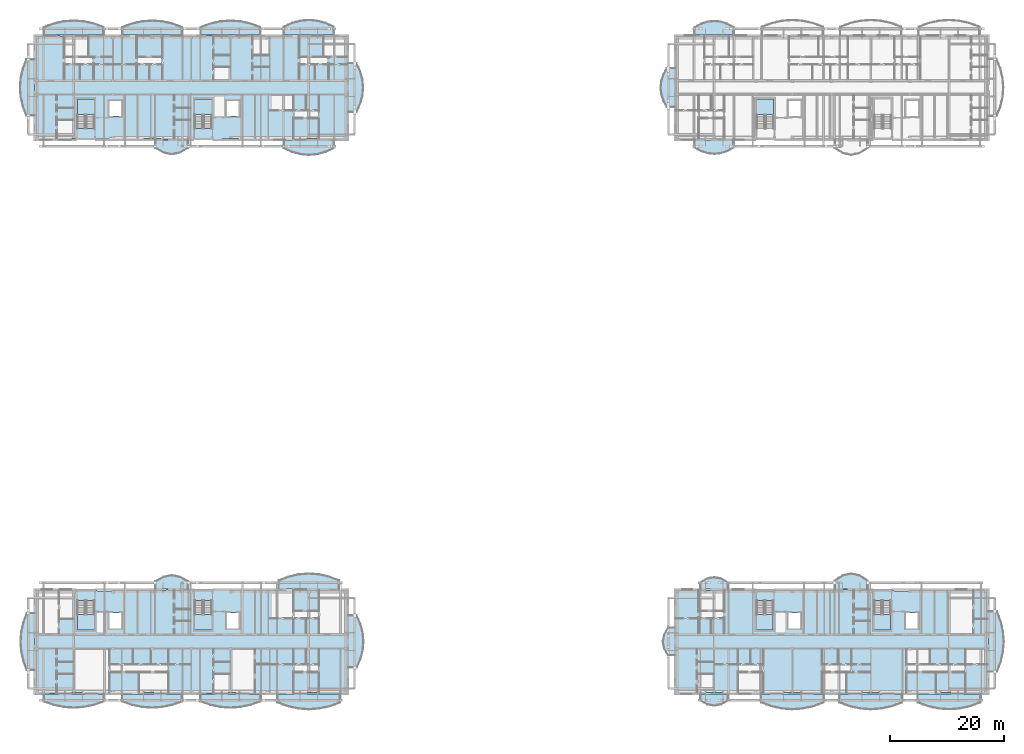
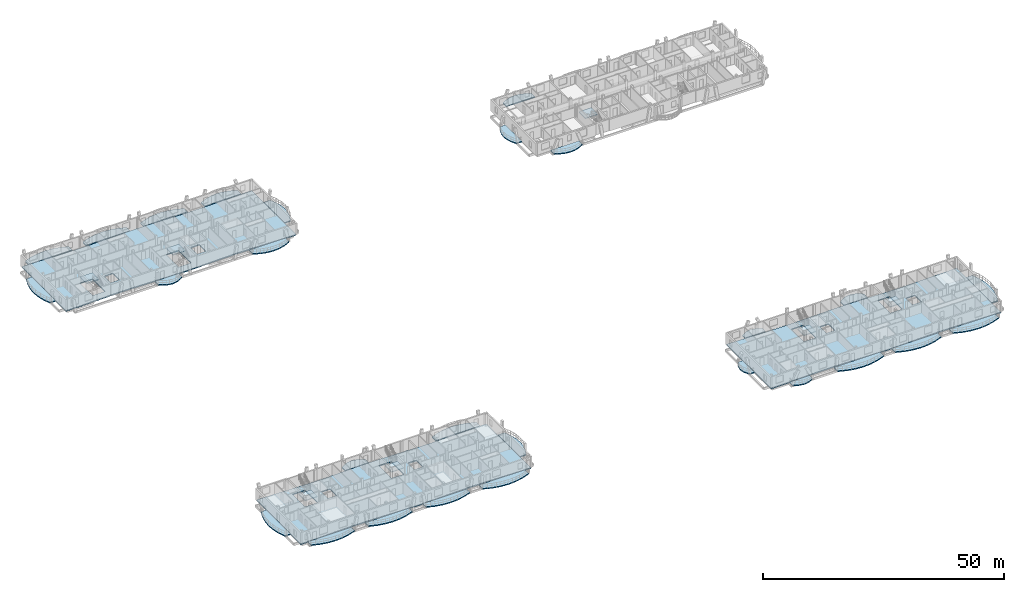
# One storey, part 9 of 52: 37 slabs, 7 elements without a shape of their own.
"""IFC4 building model written with IfcOpenShell, lengths in metres."""

from ifc_helpers import new_model, si_unit, direction, frame, origin, place, context, subcontext, project, spatial, polyline, outline, extrude, material, layer, layer_set, type_object, element, aggregate, save


model = new_model("IFC4")

# Units and contexts
model_context = context("Model", 3, precision=1e-05, world=origin(), true_north=direction((0.0, 1.0)))
body_context = subcontext(model_context, "Body", "Model", "MODEL_VIEW")
ifc_project = project(units=[si_unit("LENGTHUNIT", "METRE"), si_unit("AREAUNIT", "SQUARE_METRE"), si_unit("VOLUMEUNIT", "CUBIC_METRE"), si_unit("PLANEANGLEUNIT", "RADIAN"), si_unit("MASSUNIT", "GRAM", prefix="KILO")], contexts=[model_context])

# Site, building, storey
site_placement = place(None, origin())
site = spatial("IfcSite", under=ifc_project, at=site_placement, CompositionType="ELEMENT")
building_placement = place(site_placement, origin())
building = spatial("IfcBuilding", under=site, at=building_placement, Name="Zavelmont Quarter", CompositionType="ELEMENT")
storey_placement = place(building_placement, frame((0.0, 0.0, 14.39990234375)))
storey = spatial("IfcBuildingStorey", under=building, at=storey_placement, Name="L04", CompositionType="ELEMENT", Elevation=14.39990234375)

# Slabs
ifc_material_1 = material(Name="White architectural precast concrete C40/50", Category="concrete")
ifc_layer_1 = layer(ifc_material_1, 0.235107421875)
ifc_layer_set_1 = layer_set([ifc_layer_1], Name="White architectural precast concrete C40/50")
slab_type_1 = type_object("IfcSlabType", Name="SL-BL180", PredefinedType="FLOOR", material=ifc_layer_set_1)
slab_1_placement = place(storey_placement, frame((0.0, 0.0, -0.23486328125)))
element("IfcSlab", 1, at=slab_1_placement, inside=storey, type_object=slab_type_1, Name="L04 Block A street vase 1 balcony SL-BL180", PredefinedType="FLOOR", context=body_context, shape_type="SweptSolid", body=[
    extrude(outline(polyline([(1.634765625, -0.02001953125), (1.634765625, -1.3759765625), (3.389892578125, -1.9765625), (5.14501953125, -2.3369140625), (6.89990234375, -2.45703125), (8.655029296875, -2.3369140625), (10.41015625, -1.9765625), (12.165283203125, -1.3759765625), (12.165283203125, -0.02001953125), (1.634765625, -0.02001953125)])), origin(), (0.0, 0.0, 1.0), 0.23486328125),
])
slab_2_placement = place(storey_placement, frame((0.0, 0.0, -0.23486328125)))
element("IfcSlab", 2, at=slab_2_placement, inside=storey, type_object=slab_type_1, Name="L04 Block A street vase 4 balcony SL-BL180", PredefinedType="FLOOR", context=body_context, shape_type="SweptSolid", body=[
    extrude(outline(polyline([(42.791015625, -0.02001953125), (42.791015625, -1.537109375), (44.627197265625, -2.208251953125), (46.463623046875, -2.61083984375), (48.300048828125, -2.7451171875), (50.13623046875, -2.61083984375), (51.97265625, -2.208251953125), (53.80908203125, -1.537109375), (53.80908203125, -0.02001953125), (42.791015625, -0.02001953125)])), origin(), (0.0, 0.0, 1.0), 0.23486328125),
])
slab_3_placement = place(storey_placement, frame((0.0, 0.0, -0.23486328125)))
element("IfcSlab", 3, at=slab_3_placement, inside=storey, type_object=slab_type_1, Name="L04 Block A courtyard central vase balcony SL-BL180", PredefinedType="FLOOR", context=body_context, shape_type="SweptSolid", body=[
    extrude(outline(polyline([(27.0, 18.419921875), (27.0, 19.77587890625), (25.574951171875, 20.586669921875), (24.14990234375, 20.85693359375), (22.72509765625, 20.586669921875), (21.300048828125, 19.77587890625), (21.300048828125, 18.419921875), (27.0, 18.419921875)])), origin(), (0.0, 0.0, 1.0), 0.23486328125),
])
slab_4_placement = place(storey_placement, frame((0.0, 0.0, -0.23486328125)))
element("IfcSlab", 4, at=slab_4_placement, inside=storey, type_object=slab_type_1, Name="L04 Block B street vase 1 balcony SL-BL180", PredefinedType="FLOOR", context=body_context, shape_type="SweptSolid", body=[
    extrude(outline(polyline([(12.134765625, 116.02001953125), (12.134765625, 117.434814453125), (10.389892578125, 118.06103515625), (8.64501953125, 118.436767578125), (6.89990234375, 118.56201171875), (5.155029296875, 118.436767578125), (3.41015625, 118.06103515625), (1.665283203125, 117.434814453125), (1.665283203125, 116.02001953125), (12.134765625, 116.02001953125)])), origin(), (0.0, 0.0, 1.0), 0.23486328125),
])
slab_5_placement = place(storey_placement, frame((0.0, 0.0, -0.23486328125)))
element("IfcSlab", 5, at=slab_5_placement, inside=storey, type_object=slab_type_1, Name="L04 Block B street vase 4 balcony SL-BL180", PredefinedType="FLOOR", context=body_context, shape_type="SweptSolid", body=[
    extrude(outline(polyline([(52.672119140625, 116.02001953125), (52.672119140625, 117.50146484375), (51.214599609375, 118.15673828125), (49.75732421875, 118.5498046875), (48.300048828125, 118.680908203125), (46.8427734375, 118.5498046875), (45.38525390625, 118.15673828125), (43.927978515625, 117.50146484375), (43.927978515625, 116.02001953125), (52.672119140625, 116.02001953125)])), origin(), (0.0, 0.0, 1.0), 0.23486328125),
])
slab_6_placement = place(storey_placement, frame((0.0, 0.0, -0.23486328125)))
element("IfcSlab", 6, at=slab_6_placement, inside=storey, type_object=slab_type_1, Name="L04 Block B courtyard central vase balcony SL-BL180", PredefinedType="FLOOR", context=body_context, shape_type="SweptSolid", body=[
    extrude(outline(polyline([(21.300048828125, 97.580078125), (21.300048828125, 96.165283203125), (22.72509765625, 95.31982421875), (24.14990234375, 95.0380859375), (25.574951171875, 95.31982421875), (27.0, 96.165283203125), (27.0, 97.580078125), (21.300048828125, 97.580078125)])), origin(), (0.0, 0.0, 1.0), 0.23486328125),
])
slab_7_placement = place(storey_placement, frame((0.0, 0.0, -0.23486328125)))
element("IfcSlab", 7, at=slab_7_placement, inside=storey, type_object=slab_type_1, Name="L04 Block C street vase 1 balcony SL-BL180", PredefinedType="FLOOR", context=body_context, shape_type="SweptSolid", body=[
    extrude(outline(polyline([(123.12060546875, 116.02001953125), (123.12060546875, 117.401123046875), (121.98046875, 118.0126953125), (120.840087890625, 118.379638671875), (119.699951171875, 118.501953125), (118.559814453125, 118.379638671875), (117.419677734375, 118.0126953125), (116.279296875, 117.401123046875), (116.279296875, 116.02001953125), (123.12060546875, 116.02001953125)])), origin(), (0.0, 0.0, 1.0), 0.23486328125),
])
slab_8_placement = place(storey_placement, frame((0.0, 0.0, -0.23486328125)))
element("IfcSlab", 8, at=slab_8_placement, inside=storey, type_object=slab_type_1, Name="L04 Block D street vase 1 balcony SL-BL180", PredefinedType="FLOOR", context=body_context, shape_type="SweptSolid", body=[
    extrude(outline(polyline([(117.276611328125, -0.02001953125), (117.276611328125, -1.179931640625), (118.48828125, -1.875244140625), (119.699951171875, -2.10693359375), (120.91162109375, -1.875244140625), (122.123291015625, -1.179931640625), (122.123291015625, -0.02001953125), (117.276611328125, -0.02001953125)])), origin(), (0.0, 0.0, 1.0), 0.23486328125),
])
slab_9_placement = place(storey_placement, frame((0.0, 0.0, -0.23486328125)))
element("IfcSlab", 9, at=slab_9_placement, inside=storey, type_object=slab_type_1, Name="L04 Block D street vase 4 balcony SL-BL180", PredefinedType="FLOOR", context=body_context, shape_type="SweptSolid", body=[
    extrude(outline(polyline([(155.591064453125, -0.02001953125), (155.591064453125, -1.537109375), (157.42724609375, -2.208251953125), (159.263671875, -2.61083984375), (161.10009765625, -2.7451171875), (162.936279296875, -2.61083984375), (164.772705078125, -2.208251953125), (166.60888671875, -1.537109375), (166.60888671875, -0.02001953125), (155.591064453125, -0.02001953125)])), origin(), (0.0, 0.0, 1.0), 0.23486328125),
])
slab_10_placement = place(storey_placement, frame((0.0, 0.0, -0.23486328125)))
element("IfcSlab", 10, at=slab_10_placement, inside=storey, type_object=slab_type_1, Name="L04 Block D courtyard central vase balcony SL-BL180", PredefinedType="FLOOR", context=body_context, shape_type="SweptSolid", body=[
    extrude(outline(polyline([(146.699951171875, 18.419921875), (146.699951171875, 19.937255859375), (145.27490234375, 20.843017578125), (143.85009765625, 21.14501953125), (142.425048828125, 20.843017578125), (141.0, 19.937255859375), (141.0, 18.419921875), (146.699951171875, 18.419921875)])), origin(), (0.0, 0.0, 1.0), 0.23486328125),
])
ifc_layer_2 = layer(ifc_material_1, 0.2451171875)
ifc_layer_set_2 = layer_set([ifc_layer_2], Name="White architectural precast concrete C40/50")
slab_type_2 = type_object("IfcSlabType", Name="SL-BL200", PredefinedType="FLOOR", material=ifc_layer_set_2)
slab_11_placement = place(storey_placement, frame((0.0, 0.0, -0.244873046875)))
element("IfcSlab", 11, at=slab_11_placement, inside=storey, type_object=slab_type_2, Name="L04 Block A street vase 3 balcony SL-BL200", PredefinedType="FLOOR", context=body_context, shape_type="SweptSolid", body=[
    extrude(outline(polyline([(29.23486328125, -0.02001953125), (29.23486328125, -1.3759765625), (30.989990234375, -1.9765625), (32.744873046875, -2.3369140625), (34.5, -2.45703125), (36.255126953125, -2.3369140625), (38.010009765625, -1.9765625), (39.76513671875, -1.3759765625), (39.76513671875, -0.02001953125), (29.23486328125, -0.02001953125)])), origin(), (0.0, 0.0, 1.0), 0.244873046875),
])
slab_12_placement = place(storey_placement, frame((0.0, 0.0, -0.244873046875)))
element("IfcSlab", 12, at=slab_12_placement, inside=storey, type_object=slab_type_2, Name="L04 Block A courtyard return vase balcony SL-BL200", PredefinedType="FLOOR", context=body_context, shape_type="SweptSolid", body=[
    extrude(outline(polyline([(55.219970703125, 4.618896484375), (56.7373046875, 4.618896484375), (57.408203125, 6.14599609375), (57.810791015625, 7.6728515625), (57.945068359375, 9.199951171875), (57.810791015625, 10.72705078125), (57.408203125, 12.254150390625), (56.7373046875, 13.78125), (55.219970703125, 13.78125), (55.219970703125, 4.618896484375)])), origin(), (0.0, 0.0, 1.0), 0.244873046875),
])
slab_13_placement = place(storey_placement, frame((0.0, 0.0, -0.244873046875)))
element("IfcSlab", 13, at=slab_13_placement, inside=storey, type_object=slab_type_2, Name="L04 Block A courtyard outer vase balcony SL-BL200", PredefinedType="FLOOR", context=body_context, shape_type="SweptSolid", body=[
    extrude(outline(polyline([(53.6171875, 18.419921875), (53.6171875, 19.937255859375), (51.844970703125, 20.608154296875), (50.072509765625, 21.0107421875), (48.300048828125, 21.14501953125), (46.527587890625, 21.0107421875), (44.755126953125, 20.608154296875), (42.982666015625, 19.937255859375), (42.982666015625, 18.419921875), (53.6171875, 18.419921875)])), origin(), (0.0, 0.0, 1.0), 0.244873046875),
])
slab_14_placement = place(storey_placement, frame((0.0, 0.0, -0.244873046875)))
element("IfcSlab", 14, at=slab_14_placement, inside=storey, type_object=slab_type_2, Name="L04 Block B street vase 3 balcony SL-BL200", PredefinedType="FLOOR", context=body_context, shape_type="SweptSolid", body=[
    extrude(outline(polyline([(39.734619140625, 116.02001953125), (39.734619140625, 117.434814453125), (37.98974609375, 118.06103515625), (36.244873046875, 118.436767578125), (34.5, 118.56201171875), (32.755126953125, 118.436767578125), (31.01025390625, 118.06103515625), (29.265380859375, 117.434814453125), (29.265380859375, 116.02001953125), (39.734619140625, 116.02001953125)])), origin(), (0.0, 0.0, 1.0), 0.244873046875),
])
slab_15_placement = place(storey_placement, frame((0.0, 0.0, -0.244873046875)))
element("IfcSlab", 15, at=slab_15_placement, inside=storey, type_object=slab_type_2, Name="L04 Block B courtyard return vase balcony SL-BL200", PredefinedType="FLOOR", context=body_context, shape_type="SweptSolid", body=[
    extrude(outline(polyline([(55.219970703125, 102.495849609375), (56.701416015625, 102.495849609375), (57.356689453125, 103.9306640625), (57.75, 105.365234375), (57.881103515625, 106.800048828125), (57.75, 108.234619140625), (57.356689453125, 109.66943359375), (56.701416015625, 111.10400390625), (55.219970703125, 111.10400390625), (55.219970703125, 102.495849609375)])), origin(), (0.0, 0.0, 1.0), 0.244873046875),
])
slab_16_placement = place(storey_placement, frame((0.0, 0.0, -0.244873046875)))
element("IfcSlab", 16, at=slab_16_placement, inside=storey, type_object=slab_type_2, Name="L04 Block B courtyard outer vase balcony SL-BL200", PredefinedType="FLOOR", context=body_context, shape_type="SweptSolid", body=[
    extrude(outline(polyline([(43.927978515625, 97.580078125), (43.927978515625, 96.0986328125), (45.38525390625, 95.443359375), (46.8427734375, 95.050048828125), (48.300048828125, 94.9189453125), (49.75732421875, 95.050048828125), (51.214599609375, 95.443359375), (52.672119140625, 96.0986328125), (52.672119140625, 97.580078125), (43.927978515625, 97.580078125)])), origin(), (0.0, 0.0, 1.0), 0.244873046875),
])
slab_17_placement = place(storey_placement, frame((0.0, 0.0, -0.244873046875)))
element("IfcSlab", 17, at=slab_17_placement, inside=storey, type_object=slab_type_2, Name="L04 Block C courtyard return vase balcony SL-BL200", PredefinedType="FLOOR", context=body_context, shape_type="SweptSolid", body=[
    extrude(outline(polyline([(112.780029296875, 110.220703125), (111.39892578125, 110.220703125), (110.787353515625, 109.080322265625), (110.42041015625, 107.940185546875), (110.298095703125, 106.800048828125), (110.42041015625, 105.659912109375), (110.787353515625, 104.51953125), (111.39892578125, 103.37939453125), (112.780029296875, 103.37939453125), (112.780029296875, 110.220703125)])), origin(), (0.0, 0.0, 1.0), 0.244873046875),
])
slab_18_placement = place(storey_placement, frame((0.0, 0.0, -0.244873046875)))
element("IfcSlab", 18, at=slab_18_placement, inside=storey, type_object=slab_type_2, Name="L04 Block C courtyard outer vase balcony SL-BL200", PredefinedType="FLOOR", context=body_context, shape_type="SweptSolid", body=[
    extrude(outline(polyline([(116.279296875, 97.580078125), (116.279296875, 96.198974609375), (117.419677734375, 95.58740234375), (118.559814453125, 95.22021484375), (119.699951171875, 95.097900390625), (120.840087890625, 95.22021484375), (121.98046875, 95.58740234375), (123.12060546875, 96.198974609375), (123.12060546875, 97.580078125), (116.279296875, 97.580078125)])), origin(), (0.0, 0.0, 1.0), 0.244873046875),
])
slab_19_placement = place(storey_placement, frame((0.0, 0.0, -0.244873046875)))
element("IfcSlab", 19, at=slab_19_placement, inside=storey, type_object=slab_type_2, Name="L04 Block D street vase 3 balcony SL-BL200", PredefinedType="FLOOR", context=body_context, shape_type="SweptSolid", body=[
    extrude(outline(polyline([(141.791015625, -0.02001953125), (141.791015625, -1.537109375), (143.627197265625, -2.208251953125), (145.463623046875, -2.61083984375), (147.300048828125, -2.7451171875), (149.13623046875, -2.61083984375), (150.97265625, -2.208251953125), (152.80908203125, -1.537109375), (152.80908203125, -0.02001953125), (141.791015625, -0.02001953125)])), origin(), (0.0, 0.0, 1.0), 0.244873046875),
])
slab_20_placement = place(storey_placement, frame((0.0, 0.0, -0.244873046875)))
element("IfcSlab", 20, at=slab_20_placement, inside=storey, type_object=slab_type_2, Name="L04 Block D courtyard return vase balcony SL-BL200", PredefinedType="FLOOR", context=body_context, shape_type="SweptSolid", body=[
    extrude(outline(polyline([(112.780029296875, 11.623291015625), (111.6201171875, 11.623291015625), (110.9248046875, 10.41162109375), (110.693115234375, 9.199951171875), (110.9248046875, 7.98828125), (111.6201171875, 6.776611328125), (112.780029296875, 6.776611328125), (112.780029296875, 11.623291015625)])), origin(), (0.0, 0.0, 1.0), 0.244873046875),
])
slab_21_placement = place(storey_placement, frame((0.0, 0.0, -0.244873046875)))
element("IfcSlab", 21, at=slab_21_placement, inside=storey, type_object=slab_type_2, Name="L04 Block D courtyard outer vase balcony SL-BL200", PredefinedType="FLOOR", context=body_context, shape_type="SweptSolid", body=[
    extrude(outline(polyline([(122.123291015625, 18.419921875), (122.123291015625, 19.579833984375), (120.91162109375, 20.275146484375), (119.699951171875, 20.507080078125), (118.48828125, 20.275146484375), (117.276611328125, 19.579833984375), (117.276611328125, 18.419921875), (122.123291015625, 18.419921875)])), origin(), (0.0, 0.0, 1.0), 0.244873046875),
])
ifc_layer_3 = layer(ifc_material_1, 0.2548828125)
ifc_layer_set_3 = layer_set([ifc_layer_3], Name="White architectural precast concrete C40/50")
slab_type_3 = type_object("IfcSlabType", Name="SL-BL220", PredefinedType="FLOOR", material=ifc_layer_set_3)
slab_22_placement = place(storey_placement, frame((0.0, 0.0, -0.2548828125)))
element("IfcSlab", 22, at=slab_22_placement, inside=storey, type_object=slab_type_3, Name="L04 Block A street vase 2 balcony SL-BL220", PredefinedType="FLOOR", context=body_context, shape_type="SweptSolid", body=[
    extrude(outline(polyline([(15.434814453125, -0.02001953125), (15.434814453125, -1.3759765625), (17.18994140625, -1.9765625), (18.94482421875, -2.3369140625), (20.699951171875, -2.45703125), (22.455078125, -2.3369140625), (24.210205078125, -1.9765625), (25.965087890625, -1.3759765625), (25.965087890625, -0.02001953125), (15.434814453125, -0.02001953125)])), origin(), (0.0, 0.0, 1.0), 0.2548828125),
])
slab_23_placement = place(storey_placement, frame((0.0, 0.0, -0.2548828125)))
element("IfcSlab", 23, at=slab_23_placement, inside=storey, type_object=slab_type_3, Name="L04 Block A boulevard vase balcony SL-BL220", PredefinedType="FLOOR", context=body_context, shape_type="SweptSolid", body=[
    extrude(outline(polyline([(-0.02001953125, 14.197509765625), (-1.3759765625, 14.197509765625), (-1.9765625, 12.531494140625), (-2.3369140625, 10.86572265625), (-2.45703125, 9.199951171875), (-2.3369140625, 7.5341796875), (-1.9765625, 5.868408203125), (-1.3759765625, 4.20263671875), (-0.02001953125, 4.20263671875), (-0.02001953125, 14.197509765625)])), origin(), (0.0, 0.0, 1.0), 0.2548828125),
])
slab_24_placement = place(storey_placement, frame((0.0, 0.0, -0.2548828125)))
element("IfcSlab", 24, at=slab_24_placement, inside=storey, type_object=slab_type_3, Name="L04 Block B street vase 2 balcony SL-BL220", PredefinedType="FLOOR", context=body_context, shape_type="SweptSolid", body=[
    extrude(outline(polyline([(25.934814453125, 116.02001953125), (25.934814453125, 117.434814453125), (24.189697265625, 118.06103515625), (22.44482421875, 118.436767578125), (20.699951171875, 118.56201171875), (18.955078125, 118.436767578125), (17.210205078125, 118.06103515625), (15.46533203125, 117.434814453125), (15.46533203125, 116.02001953125), (25.934814453125, 116.02001953125)])), origin(), (0.0, 0.0, 1.0), 0.2548828125),
])
slab_25_placement = place(storey_placement, frame((0.0, 0.0, -0.2548828125)))
element("IfcSlab", 25, at=slab_25_placement, inside=storey, type_object=slab_type_3, Name="L04 Block B boulevard vase balcony SL-BL220", PredefinedType="FLOOR", context=body_context, shape_type="SweptSolid", body=[
    extrude(outline(polyline([(-0.02001953125, 111.731689453125), (-1.434814453125, 111.731689453125), (-2.06103515625, 110.087646484375), (-2.436767578125, 108.44384765625), (-2.56201171875, 106.800048828125), (-2.436767578125, 105.156005859375), (-2.06103515625, 103.51220703125), (-1.434814453125, 101.868408203125), (-0.02001953125, 101.868408203125), (-0.02001953125, 111.731689453125)])), origin(), (0.0, 0.0, 1.0), 0.2548828125),
])
slab_26_placement = place(storey_placement, frame((0.0, 0.0, -0.2548828125)))
element("IfcSlab", 26, at=slab_26_placement, inside=storey, type_object=slab_type_3, Name="L04 Block D street vase 2 balcony SL-BL220", PredefinedType="FLOOR", context=body_context, shape_type="SweptSolid", body=[
    extrude(outline(polyline([(127.990966796875, -0.02001953125), (127.990966796875, -1.537109375), (129.827392578125, -2.208251953125), (131.663818359375, -2.61083984375), (133.5, -2.7451171875), (135.336181640625, -2.61083984375), (137.172607421875, -2.208251953125), (139.009033203125, -1.537109375), (139.009033203125, -0.02001953125), (127.990966796875, -0.02001953125)])), origin(), (0.0, 0.0, 1.0), 0.2548828125),
])
slab_27_placement = place(storey_placement, frame((0.0, 0.0, -0.2548828125)))
element("IfcSlab", 27, at=slab_27_placement, inside=storey, type_object=slab_type_3, Name="L04 Block D boulevard vase balcony SL-BL220", PredefinedType="FLOOR", context=body_context, shape_type="SweptSolid", body=[
    extrude(outline(polyline([(168.02001953125, 3.8828125), (169.537109375, 3.8828125), (170.208251953125, 5.655029296875), (170.61083984375, 7.427490234375), (170.7451171875, 9.199951171875), (170.61083984375, 10.972412109375), (170.208251953125, 12.744873046875), (169.537109375, 14.517333984375), (168.02001953125, 14.517333984375), (168.02001953125, 3.8828125)])), origin(), (0.0, 0.0, 1.0), 0.2548828125),
])
ifc_material_2 = material(Name="Concrete C35/45", Category="concrete")
ifc_layer_4 = layer(ifc_material_2, 0.260009765625)
ifc_layer_set_4 = layer_set([ifc_layer_4], Name="Concrete C35/45")
slab_type_4 = type_object("IfcSlabType", Name="SL-FL260", PredefinedType="FLOOR", material=ifc_layer_set_4)
slab_28_placement = place(storey_placement, frame((0.0, 0.0, -0.260009765625)))
element("IfcSlab", 28, at=slab_28_placement, inside=storey, type_object=slab_type_4, Name="L04 Block A floor slab SL-FL260", PredefinedType="FLOOR", context=body_context, shape_type="SweptSolid", body=[
    extrude(outline(polyline([(0.0, 0.0), (3.449951171875, 0.041015625), (6.89990234375, 0.139892578125), (10.35009765625, 0.239013671875), (13.800048828125, 0.280029296875), (17.25, 0.239013671875), (20.699951171875, 0.139892578125), (24.14990234375, 0.041015625), (27.60009765625, 0.0), (31.050048828125, 0.041015625), (34.5, 0.139892578125), (37.949951171875, 0.239013671875), (41.39990234375, 0.280029296875), (44.85009765625, 0.239013671875), (48.300048828125, 0.139892578125), (51.75, 0.041015625), (55.199951171875, 0.0), (55.199951171875, 3.679931640625), (55.199951171875, 7.360107421875), (55.199951171875, 11.0400390625), (55.199951171875, 14.719970703125), (55.199951171875, 18.39990234375), (51.75, 18.35888671875), (48.300048828125, 18.260009765625), (44.85009765625, 18.160888671875), (41.39990234375, 18.1201171875), (37.949951171875, 18.160888671875), (34.5, 18.260009765625), (31.050048828125, 18.35888671875), (27.60009765625, 18.39990234375), (24.14990234375, 18.35888671875), (20.699951171875, 18.260009765625), (17.25, 18.160888671875), (13.800048828125, 18.1201171875), (10.35009765625, 18.160888671875), (6.89990234375, 18.260009765625), (3.449951171875, 18.35888671875), (0.0, 18.39990234375), (0.0, 14.719970703125), (0.0, 11.0400390625), (0.0, 7.360107421875), (0.0, 3.679931640625), (0.0, 0.0)]), holes=[polyline([(7.5, 16.425048828125), (7.5, 11.199951171875), (10.5, 11.199951171875), (10.5, 16.425048828125), (7.5, 16.425048828125)]), polyline([(13.14990234375, 11.5), (15.25, 11.5), (15.25, 14.25), (13.14990234375, 14.25), (13.14990234375, 11.5)]), polyline([(28.199951171875, 16.425048828125), (28.199951171875, 11.199951171875), (31.199951171875, 11.199951171875), (31.199951171875, 16.425048828125), (28.199951171875, 16.425048828125)]), polyline([(33.85009765625, 11.5), (35.949951171875, 11.5), (35.949951171875, 14.25), (33.85009765625, 14.25), (33.85009765625, 11.5)])]), origin(), (0.0, 0.0, 1.0), 0.260009765625),
])
slab_29_placement = place(storey_placement, frame((0.0, 0.0, -0.260009765625)))
element("IfcSlab", 29, at=slab_29_placement, inside=storey, type_object=slab_type_4, Name="L04 Block B floor slab SL-FL260", PredefinedType="FLOOR", context=body_context, shape_type="SweptSolid", body=[
    extrude(outline(polyline([(0.0, 97.60009765625), (3.449951171875, 97.64111328125), (6.89990234375, 97.739990234375), (10.35009765625, 97.839111328125), (13.800048828125, 97.8798828125), (17.25, 97.839111328125), (20.699951171875, 97.739990234375), (24.14990234375, 97.64111328125), (27.60009765625, 97.60009765625), (31.050048828125, 97.64111328125), (34.5, 97.739990234375), (37.949951171875, 97.839111328125), (41.39990234375, 97.8798828125), (44.85009765625, 97.839111328125), (48.300048828125, 97.739990234375), (51.75, 97.64111328125), (55.199951171875, 97.60009765625), (55.199951171875, 101.280029296875), (55.199951171875, 104.9599609375), (55.199951171875, 108.639892578125), (55.199951171875, 112.320068359375), (55.199951171875, 116.0), (51.75, 115.958984375), (48.300048828125, 115.860107421875), (44.85009765625, 115.760986328125), (41.39990234375, 115.719970703125), (37.949951171875, 115.760986328125), (34.5, 115.860107421875), (31.050048828125, 115.958984375), (27.60009765625, 116.0), (24.14990234375, 115.958984375), (20.699951171875, 115.860107421875), (17.25, 115.760986328125), (13.800048828125, 115.719970703125), (10.35009765625, 115.760986328125), (6.89990234375, 115.860107421875), (3.449951171875, 115.958984375), (0.0, 116.0), (0.0, 112.320068359375), (0.0, 108.639892578125), (0.0, 104.9599609375), (0.0, 101.280029296875), (0.0, 97.60009765625)]), holes=[polyline([(10.5, 99.574951171875), (10.5, 104.800048828125), (7.5, 104.800048828125), (7.5, 99.574951171875), (10.5, 99.574951171875)]), polyline([(13.14990234375, 101.75), (15.25, 101.75), (15.25, 104.5), (13.14990234375, 104.5), (13.14990234375, 101.75)]), polyline([(31.199951171875, 99.574951171875), (31.199951171875, 104.800048828125), (28.199951171875, 104.800048828125), (28.199951171875, 99.574951171875), (31.199951171875, 99.574951171875)]), polyline([(33.85009765625, 101.75), (35.949951171875, 101.75), (35.949951171875, 104.5), (33.85009765625, 104.5), (33.85009765625, 101.75)])]), origin(), (0.0, 0.0, 1.0), 0.260009765625),
])
slab_30_placement = place(storey_placement, frame((0.0, 0.0, -0.260009765625)))
element("IfcSlab", 30, at=slab_30_placement, inside=storey, type_object=slab_type_4, Name="L04 Block D floor slab SL-FL260", PredefinedType="FLOOR", context=body_context, shape_type="SweptSolid", body=[
    extrude(outline(polyline([(112.800048828125, 0.0), (116.25, 0.041015625), (119.699951171875, 0.139892578125), (123.14990234375, 0.239013671875), (126.60009765625, 0.280029296875), (130.050048828125, 0.239013671875), (133.5, 0.139892578125), (136.949951171875, 0.041015625), (140.39990234375, 0.0), (143.85009765625, 0.041015625), (147.300048828125, 0.139892578125), (150.75, 0.239013671875), (154.199951171875, 0.280029296875), (157.64990234375, 0.239013671875), (161.10009765625, 0.139892578125), (164.550048828125, 0.041015625), (168.0, 0.0), (168.0, 3.679931640625), (168.0, 7.360107421875), (168.0, 11.0400390625), (168.0, 14.719970703125), (168.0, 18.39990234375), (164.550048828125, 18.35888671875), (161.10009765625, 18.260009765625), (157.64990234375, 18.160888671875), (154.199951171875, 18.1201171875), (150.75, 18.160888671875), (147.300048828125, 18.260009765625), (143.85009765625, 18.35888671875), (140.39990234375, 18.39990234375), (136.949951171875, 18.35888671875), (133.5, 18.260009765625), (130.050048828125, 18.160888671875), (126.60009765625, 18.1201171875), (123.14990234375, 18.160888671875), (119.699951171875, 18.260009765625), (116.25, 18.35888671875), (112.800048828125, 18.39990234375), (112.800048828125, 14.719970703125), (112.800048828125, 11.0400390625), (112.800048828125, 7.360107421875), (112.800048828125, 3.679931640625), (112.800048828125, 0.0)]), holes=[polyline([(127.199951171875, 16.425048828125), (127.199951171875, 11.199951171875), (130.10009765625, 11.199951171875), (130.10009765625, 16.425048828125), (127.199951171875, 16.425048828125)]), polyline([(132.75, 11.5), (134.85009765625, 11.5), (134.85009765625, 14.25), (132.75, 14.25), (132.75, 11.5)]), polyline([(147.89990234375, 16.425048828125), (147.89990234375, 11.199951171875), (150.800048828125, 11.199951171875), (150.800048828125, 16.425048828125), (147.89990234375, 16.425048828125)]), polyline([(153.449951171875, 11.5), (155.550048828125, 11.5), (155.550048828125, 14.25), (153.449951171875, 14.25), (153.449951171875, 11.5)])]), origin(), (0.0, 0.0, 1.0), 0.260009765625),
])

# Stair, slab
stair_type_1 = type_object("IfcStairType", Name="STR-1400-1778", PredefinedType="HALF_TURN_STAIR", material=ifc_material_2)
stair_1_placement = place(storey_placement, origin())
stair_1 = element("IfcStair", 31, at=stair_1_placement, inside=storey, type_object=stair_type_1, Name="L04 protected stair ST01", PredefinedType="HALF_TURN_STAIR")
ifc_layer_5 = layer(ifc_material_2, 0.199951171875)
ifc_layer_set_5 = layer_set([ifc_layer_5], Name="Concrete C35/45")
slab_type_5 = type_object("IfcSlabType", Name="SL-LND200", PredefinedType="LANDING", material=ifc_layer_set_5)
slab_31_placement = place(storey_placement, frame((0.0, 0.0, 1.400146484375)))
slab_31 = element("IfcSlab", 32, at=slab_31_placement, type_object=slab_type_5, Name="ST01 landing 1", PredefinedType="LANDING", context=body_context, shape_type="SweptSolid", body=[
    extrude(outline(polyline([(7.5, 13.969970703125), (7.5, 11.199951171875), (10.5, 11.199951171875), (10.5, 13.969970703125), (7.5, 13.969970703125)])), origin(), (0.0, 0.0, 1.0), 0.199951171875),
])
aggregate(stair_1, [slab_31])

stair_2_placement = place(storey_placement, origin())
stair_2 = element("IfcStair", 33, at=stair_2_placement, inside=storey, type_object=stair_type_1, Name="L04 protected stair ST02", PredefinedType="HALF_TURN_STAIR")
slab_32_placement = place(storey_placement, frame((0.0, 0.0, 1.400146484375)))
slab_32 = element("IfcSlab", 34, at=slab_32_placement, type_object=slab_type_5, Name="ST02 landing 1", PredefinedType="LANDING", context=body_context, shape_type="SweptSolid", body=[
    extrude(outline(polyline([(28.199951171875, 13.969970703125), (28.199951171875, 11.199951171875), (31.199951171875, 11.199951171875), (31.199951171875, 13.969970703125), (28.199951171875, 13.969970703125)])), origin(), (0.0, 0.0, 1.0), 0.199951171875),
])
aggregate(stair_2, [slab_32])

stair_3_placement = place(storey_placement, origin())
stair_3 = element("IfcStair", 35, at=stair_3_placement, inside=storey, type_object=stair_type_1, Name="L04 protected stair ST03", PredefinedType="HALF_TURN_STAIR")
slab_33_placement = place(storey_placement, frame((0.0, 0.0, 1.400146484375)))
slab_33 = element("IfcSlab", 36, at=slab_33_placement, type_object=slab_type_5, Name="ST03 landing 1", PredefinedType="LANDING", context=body_context, shape_type="SweptSolid", body=[
    extrude(outline(polyline([(10.5, 102.030029296875), (10.5, 104.800048828125), (7.5, 104.800048828125), (7.5, 102.030029296875), (10.5, 102.030029296875)])), origin(), (0.0, 0.0, 1.0), 0.199951171875),
])
aggregate(stair_3, [slab_33])

stair_4_placement = place(storey_placement, origin())
stair_4 = element("IfcStair", 37, at=stair_4_placement, inside=storey, type_object=stair_type_1, Name="L04 protected stair ST04", PredefinedType="HALF_TURN_STAIR")
slab_34_placement = place(storey_placement, frame((0.0, 0.0, 1.400146484375)))
slab_34 = element("IfcSlab", 38, at=slab_34_placement, type_object=slab_type_5, Name="ST04 landing 1", PredefinedType="LANDING", context=body_context, shape_type="SweptSolid", body=[
    extrude(outline(polyline([(31.199951171875, 102.030029296875), (31.199951171875, 104.800048828125), (28.199951171875, 104.800048828125), (28.199951171875, 102.030029296875), (31.199951171875, 102.030029296875)])), origin(), (0.0, 0.0, 1.0), 0.199951171875),
])
aggregate(stair_4, [slab_34])

stair_5_placement = place(storey_placement, origin())
stair_5 = element("IfcStair", 39, at=stair_5_placement, inside=storey, type_object=stair_type_1, Name="L04 protected stair ST05", PredefinedType="HALF_TURN_STAIR")
slab_35_placement = place(storey_placement, frame((0.0, 0.0, 1.400146484375)))
slab_35 = element("IfcSlab", 40, at=slab_35_placement, type_object=slab_type_5, Name="ST05 landing 1", PredefinedType="LANDING", context=body_context, shape_type="SweptSolid", body=[
    extrude(outline(polyline([(130.199951171875, 102.030029296875), (130.199951171875, 104.800048828125), (127.199951171875, 104.800048828125), (127.199951171875, 102.030029296875), (130.199951171875, 102.030029296875)])), origin(), (0.0, 0.0, 1.0), 0.199951171875),
])
aggregate(stair_5, [slab_35])

stair_type_2 = type_object("IfcStairType", Name="STR-1350-1778", PredefinedType="HALF_TURN_STAIR", material=ifc_material_2)
stair_6_placement = place(storey_placement, origin())
stair_6 = element("IfcStair", 41, at=stair_6_placement, inside=storey, type_object=stair_type_2, Name="L04 protected stair ST07", PredefinedType="HALF_TURN_STAIR")
slab_36_placement = place(storey_placement, frame((0.0, 0.0, 1.400146484375)))
slab_36 = element("IfcSlab", 42, at=slab_36_placement, type_object=slab_type_5, Name="ST07 landing 1", PredefinedType="LANDING", context=body_context, shape_type="SweptSolid", body=[
    extrude(outline(polyline([(127.199951171875, 13.969970703125), (127.199951171875, 11.199951171875), (130.10009765625, 11.199951171875), (130.10009765625, 13.969970703125), (127.199951171875, 13.969970703125)])), origin(), (0.0, 0.0, 1.0), 0.199951171875),
])
aggregate(stair_6, [slab_36])

stair_7_placement = place(storey_placement, origin())
stair_7 = element("IfcStair", 43, at=stair_7_placement, inside=storey, type_object=stair_type_2, Name="L04 protected stair ST08", PredefinedType="HALF_TURN_STAIR")
slab_37_placement = place(storey_placement, frame((0.0, 0.0, 1.400146484375)))
slab_37 = element("IfcSlab", 44, at=slab_37_placement, type_object=slab_type_5, Name="ST08 landing 1", PredefinedType="LANDING", context=body_context, shape_type="SweptSolid", body=[
    extrude(outline(polyline([(147.89990234375, 13.969970703125), (147.89990234375, 11.199951171875), (150.800048828125, 11.199951171875), (150.800048828125, 13.969970703125), (147.89990234375, 13.969970703125)])), origin(), (0.0, 0.0, 1.0), 0.199951171875),
])
aggregate(stair_7, [slab_37])

save(model, "model.ifc")
